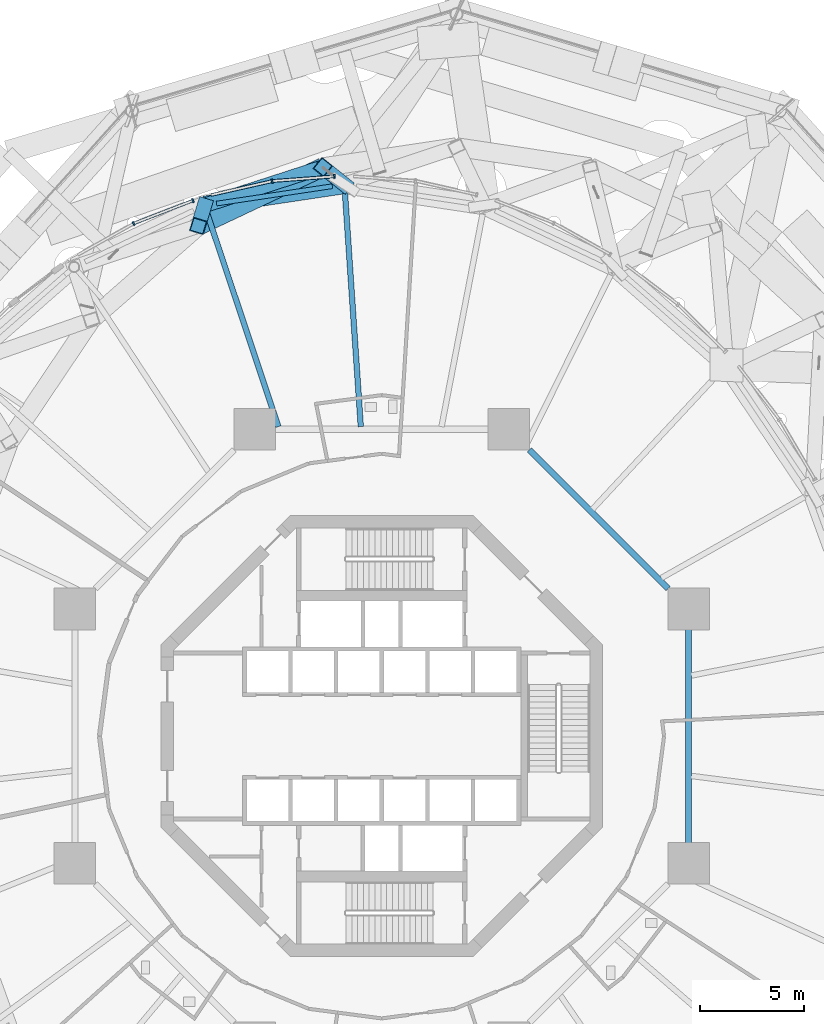
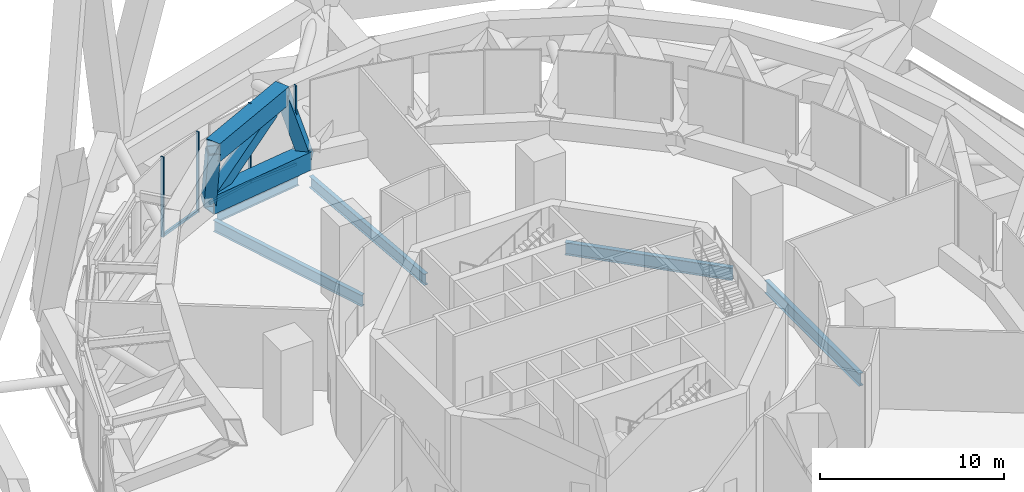
# One storey, part 31 of 49: 10 beams, 7 members, 4 elements without a shape of their own.
"""IFC4 building model written with IfcOpenShell, lengths in metres."""

import ifcopenshell
import ifcopenshell.guid

model = None  # the IFC model being written
_history = None  # IfcOwnerHistory: only IFC2X3 demands one
_inside = {}  # id of a spatial element -> (the spatial element, [elements in it])
_under = {}  # id of a project, library or spatial element -> (it, [spatial elements below it])
_declared = {}  # id of a project -> (the project, [libraries it declares])
_typed = {}  # id of a type object -> (the type object, [elements of that type])
_made_of = {}  # id of a material, layer set ... -> (it, [elements and type objects made of it])


def new_model(schema):
    """Start an empty IFC model of exactly this schema.

    Asked for "IFC4X3", IfcOpenShell would pick the latest addendum, in which some entities
    have other attributes; the version numbers below select the first issue.
    IFC2X3 requires an IfcOwnerHistory on every rooted entity: one is made here for all.
    """
    global model, _history
    if schema == "IFC4X3":
        model = ifcopenshell.file(schema_version=(4, 3, 0, 0))
    else:
        model = ifcopenshell.file(schema=schema)
    _inside.clear()
    _under.clear()
    _declared.clear()
    _typed.clear()
    _made_of.clear()
    _history = None
    if model.schema == "IFC2X3":
        org = make("IfcOrganization", Name="unknown")
        user = make(
            "IfcPersonAndOrganization",
            ThePerson=make("IfcPerson", FamilyName="unknown"),
            TheOrganization=org,
        )
        app = make(
            "IfcApplication",
            ApplicationDeveloper=org,
            Version="unknown",
            ApplicationFullName="unknown",
            ApplicationIdentifier="unknown",
        )
        _history = make(
            "IfcOwnerHistory",
            OwningUser=user,
            OwningApplication=app,
            ChangeAction="ADDED",
            CreationDate=0,
        )
    return model


def make(cls, **values):
    """One entity of the class cls with the attributes given. An attribute that is None is left unset."""
    return model.create_entity(
        cls, **{name: value for name, value in values.items() if value is not None}
    )


def rooted(cls, **values):
    """An entity with a GlobalId (a new one), such as an element, a storey or a relation."""
    return make(cls, GlobalId=ifcopenshell.guid.new(), OwnerHistory=_history, **values)


def si_unit(unit_type, name, prefix=None):
    """IfcSIUnit, for example si_unit("LENGTHUNIT", "METRE", prefix="MILLI")."""
    return make("IfcSIUnit", UnitType=unit_type, Prefix=prefix, Name=name)


def assignment(units):
    """IfcUnitAssignment: the units of a project."""
    return None if units is None else make("IfcUnitAssignment", Units=units)


def point(xyz):
    """IfcCartesianPoint."""
    return None if xyz is None else make("IfcCartesianPoint", Coordinates=xyz)


def direction(xyz):
    """IfcDirection."""
    return None if xyz is None else make("IfcDirection", DirectionRatios=xyz)


def frame(location, z_axis=None, x_axis=None):
    """IfcAxis2Placement3D, a coordinate frame: its origin and axes. An axis left out is left unset."""
    return make(
        "IfcAxis2Placement3D",
        Location=point(location),
        Axis=direction(z_axis),
        RefDirection=direction(x_axis),
    )


def frame_2d(location, x_axis=None):
    """IfcAxis2Placement2D, a coordinate frame in the plane: its origin and x axis."""
    return make(
        "IfcAxis2Placement2D", Location=point(location), RefDirection=direction(x_axis)
    )


def origin():
    """The frame at (0, 0, 0) with its axes left unset."""
    return frame((0.0, 0.0, 0.0))


def origin_2d():
    """The frame at (0, 0) in the plane with its x axis left unset."""
    return frame_2d((0.0, 0.0))


def place(relative_to, where):
    """IfcLocalPlacement: puts the frame where relative to a parent placement (None: the world)."""
    return make(
        "IfcLocalPlacement", PlacementRelTo=relative_to, RelativePlacement=where
    )


def context(
    kind, dimensions, precision=None, world=None, true_north=None, identifier=None
):
    """IfcGeometricRepresentationContext, for example the 3D "Model" context."""
    return make(
        "IfcGeometricRepresentationContext",
        ContextIdentifier=identifier,
        ContextType=kind,
        CoordinateSpaceDimension=dimensions,
        Precision=precision,
        WorldCoordinateSystem=world,
        TrueNorth=true_north,
    )


def subcontext(parent, identifier, kind, view, scale=None):
    """IfcGeometricRepresentationSubContext, for example "Body" below "Model"."""
    return make(
        "IfcGeometricRepresentationSubContext",
        ContextIdentifier=identifier,
        ContextType=kind,
        ParentContext=parent,
        TargetScale=scale,
        TargetView=view,
    )


def project(units=None, contexts=None):
    """IfcProject with its units and contexts."""
    return rooted(
        "IfcProject",
        Name="project",
        RepresentationContexts=contexts,
        UnitsInContext=assignment(units),
    )


def spatial(cls, under=None, at=None, **own):
    """A site, building, storey or space (cls), placed at a placement, below another one or the project."""
    s = rooted(cls, ObjectPlacement=at, **own)
    if under is not None:
        _under.setdefault(under.id(), (under, []))[1].append(s)
    return s


def profile(cls, at=None, kind="AREA", **sizes):
    """A parametric profile (cls). Its sizes go by their IFC names, for example OverallWidth=200.0."""
    return make(cls, ProfileType=kind, Position=at, **sizes)


def rectangle(**sizes):
    """IfcRectangleProfileDef."""
    return profile("IfcRectangleProfileDef", **sizes)


def hollow_rectangle(**sizes):
    """IfcRectangleHollowProfileDef."""
    return profile("IfcRectangleHollowProfileDef", **sizes)


def i_section(**sizes):
    """IfcIShapeProfileDef."""
    return profile("IfcIShapeProfileDef", **sizes)


def extrude(swept, where, along, depth):
    """IfcExtrudedAreaSolid: the profile swept, set in the frame where, extruded along a direction by depth."""
    return make(
        "IfcExtrudedAreaSolid",
        SweptArea=swept,
        Position=where,
        ExtrudedDirection=direction(along),
        Depth=depth,
    )


def shape(context_of_items, identifier, shape_type, items):
    """IfcShapeRepresentation: the items that make up one representation, for example the "Body"."""
    return make(
        "IfcShapeRepresentation",
        ContextOfItems=context_of_items,
        RepresentationIdentifier=identifier,
        RepresentationType=shape_type,
        Items=items,
    )


def material(Name=None, Category=None):
    """IfcMaterial."""
    return make("IfcMaterial", Name=Name, Category=Category)


def layer(
    of_material, thickness, ventilated=None, Name=None, Category=None, Priority=None
):
    """IfcMaterialLayer: one layer of a wall or slab, of a material (None: an air gap)."""
    return make(
        "IfcMaterialLayer",
        Material=of_material,
        LayerThickness=thickness,
        IsVentilated=ventilated,
        Name=Name,
        Category=Category,
        Priority=Priority,
    )


def layer_set(layers, Name=None):
    """IfcMaterialLayerSet."""
    return make("IfcMaterialLayerSet", MaterialLayers=layers, LayerSetName=Name)


def material_profile(
    of_material, cross_section, Name=None, Category=None, Priority=None
):
    """IfcMaterialProfile: a cross section and its material."""
    return make(
        "IfcMaterialProfile",
        Name=Name,
        Material=of_material,
        Profile=cross_section,
        Priority=Priority,
        Category=Category,
    )


def profile_set(profiles, Name=None, composite=None):
    """IfcMaterialProfileSet."""
    return make(
        "IfcMaterialProfileSet",
        Name=Name,
        MaterialProfiles=profiles,
        CompositeProfile=composite,
    )


def made_of(thing, what):
    """Note that an element or type object is made of a material, layer set ...; save() writes the relation."""
    if what is not None:
        _made_of.setdefault(what.id(), (what, []))[1].append(thing)
    return thing


def type_object(cls, material=None, **own):
    """A type object (cls), such as IfcWallType, which elements share."""
    return made_of(rooted(cls, **own), material)


def element(
    cls,
    number,
    at=None,
    inside=None,
    cuts=None,
    type_object=None,
    material=None,
    context=None,
    identifier="Body",
    shape_type=None,
    held_by="IfcProductDefinitionShape",
    body=None,
    shapes=None,
    **own,
):
    """One element of the class cls, such as IfcWall. Its Tag is "e" and its number.

    at: its placement. inside: the storey or other place that contains it. cuts: it is an
    opening in that element (IfcRelVoidsElement). A single representation is given by context,
    identifier, shape_type and body (its items); several are given by shapes. held_by: the class
    of the entity that holds the representations. save() writes the other relations.
    """
    e = rooted(cls, Tag="e%d" % number, ObjectPlacement=at, **own)
    if body is not None:
        shapes = [shape(context, identifier, shape_type, body)]
    if shapes is not None:
        e.Representation = make(held_by, Representations=shapes)
    if inside is not None:
        _inside.setdefault(inside.id(), (inside, []))[1].append(e)
    if cuts is not None:
        rooted(
            "IfcRelVoidsElement", RelatingBuildingElement=cuts, RelatedOpeningElement=e
        )
    if type_object is not None:
        _typed.setdefault(type_object.id(), (type_object, []))[1].append(e)
    return made_of(e, material)


def aggregate(whole, parts):
    """IfcRelAggregates: a whole, such as a stair, and the parts it consists of."""
    return rooted("IfcRelAggregates", RelatingObject=whole, RelatedObjects=parts)


def save(model, path):
    """Write the relations noted so far, then the file.

    IfcRelAggregates (storeys below a building ...), IfcRelContainedInSpatialStructure (elements
    in a storey), IfcRelDefinesByType, IfcRelAssociatesMaterial and IfcRelDeclares: one each for
    every whole, place, type object, material and project.
    """
    for whole, parts in _under.values():
        aggregate(whole, parts)
    for where, things in _inside.values():
        rooted(
            "IfcRelContainedInSpatialStructure",
            RelatedElements=things,
            RelatingStructure=where,
        )
    for kind, things in _typed.values():
        rooted("IfcRelDefinesByType", RelatedObjects=things, RelatingType=kind)
    for what, things in _made_of.values():
        rooted("IfcRelAssociatesMaterial", RelatedObjects=things, RelatingMaterial=what)
    for by, libraries in _declared.values():
        rooted("IfcRelDeclares", RelatingContext=by, RelatedDefinitions=libraries)
    model.write(path)


model = new_model("IFC4")

# Units and contexts
model_context = context("Model", 3, precision=1e-05, world=origin(), true_north=direction((0.0, 1.0)))
body_context = subcontext(model_context, "Body", "Model", "MODEL_VIEW")
ifc_project = project(units=[si_unit("LENGTHUNIT", "METRE"), si_unit("AREAUNIT", "SQUARE_METRE"), si_unit("VOLUMEUNIT", "CUBIC_METRE"), si_unit("PLANEANGLEUNIT", "RADIAN"), si_unit("MASSUNIT", "GRAM", prefix="KILO")], contexts=[model_context])

# Site, building, storey
site_placement = place(None, origin())
site = spatial("IfcSite", under=ifc_project, at=site_placement, CompositionType="ELEMENT")
building_placement = place(site_placement, origin())
building = spatial("IfcBuilding", under=site, at=building_placement, Name="Nagisa Residences", CompositionType="ELEMENT")
storey_placement = place(building_placement, frame((0.0, 0.0, 160.300048828125)))
storey = spatial("IfcBuildingStorey", under=building, at=storey_placement, Name="L40", CompositionType="ELEMENT", Elevation=160.300048828125)

# Beams
ifc_material_1 = material(Name="Steel ASTM A572 Gr 50", Category="steel")
ifc_material_profile_1 = material_profile(ifc_material_1, hollow_rectangle(XDim=0.89990234375, YDim=1.199951171875, WallThickness=0.044921875, at=origin_2d()), Name="BX 900x1200x45")
ifc_profile_set_1 = profile_set([ifc_material_profile_1], Name="Steel ASTM A572 Gr 50")
beam_type_1 = type_object("IfcBeamType", Name="Belt chord 3 BX 900x1200x45", PredefinedType="BEAM", material=ifc_profile_set_1)
beam_1_placement = place(storey_placement, frame((-1.800048828125, 26.577392578125, 0.599853515625), z_axis=(-0.988910056119, -0.14851565879, 0.0), x_axis=(0.14851565879, -0.988910056119, 0.0)))
element("IfcBeam", 1, at=beam_1_placement, inside=storey, type_object=beam_type_1, Name="beam:L40:bt3b07", PredefinedType="BEAM", context=body_context, shape_type="SweptSolid", body=[
    extrude(hollow_rectangle(XDim=0.89990234375, YDim=1.199951171875, WallThickness=0.044921875, at=origin_2d()), origin(), (0.0, 0.0, 1.0), 6.81396484375),
])
beam_2_placement = place(storey_placement, frame((-2.838134765625, 27.408203125, 4.739990234375), z_axis=(-0.90414798846, -0.427219399097, 0.0), x_axis=(0.427219399097, -0.90414798846, 0.0)))
element("IfcBeam", 2, at=beam_2_placement, inside=storey, type_object=beam_type_1, Name="beam:L40:bt3t08", PredefinedType="BEAM", context=body_context, shape_type="SweptSolid", body=[
    extrude(hollow_rectangle(XDim=0.89990234375, YDim=1.199951171875, WallThickness=0.044921875, at=origin_2d()), origin(), (0.0, 0.0, 1.0), 6.63525390625),
])
ifc_material_2 = material(Name="Steel ASTM A572 Gr 50", Category="steel")
ifc_material_profile_2 = material_profile(ifc_material_2, hollow_rectangle(XDim=0.699951171875, YDim=0.699951171875, WallThickness=0.0400390625, at=origin_2d()), Name="BX 700x700x40")
ifc_profile_set_2 = profile_set([ifc_material_profile_2], Name="Steel ASTM A572 Gr 50")
beam_type_2 = type_object("IfcBeamType", Name="Belt diagonal 3 BX 700x700x40", PredefinedType="BEAM", material=ifc_profile_set_2)
beam_3_placement = place(storey_placement, frame((-1.800048828125, 26.577392578125, 0.599853515625), z_axis=(-0.238728139435, 0.191061114416, 0.952105312452), x_axis=(-0.624851781974, -0.780743396107, 0.0)))
element("IfcBeam", 3, at=beam_3_placement, inside=storey, type_object=beam_type_2, Name="beam:L40:bt3db07", PredefinedType="BEAM", context=body_context, shape_type="SweptSolid", body=[
    extrude(hollow_rectangle(XDim=0.699951171875, YDim=0.699951171875, WallThickness=0.0400390625, at=origin_2d()), origin(), (0.0, 0.0, 1.0), 4.348388671875),
])
beam_4_placement = place(storey_placement, frame((-8.538330078125, 25.5654296875, 0.599853515625), z_axis=(0.782769596943, 0.253055718594, 0.568537211965), x_axis=(-0.307607606237, 0.951513300267, 0.0)))
element("IfcBeam", 4, at=beam_4_placement, inside=storey, type_object=beam_type_2, Name="beam:L40:bt3da08", PredefinedType="BEAM", context=body_context, shape_type="SweptSolid", body=[
    extrude(hollow_rectangle(XDim=0.699951171875, YDim=0.699951171875, WallThickness=0.0400390625, at=origin_2d()), origin(), (0.0, 0.0, 1.0), 7.281982421875),
])
beam_5_placement = place(storey_placement, frame((-8.538330078125, 25.5654296875, 0.599853515625), z_axis=(-0.070076426927, -0.232424916411, 0.970086569653), x_axis=(0.957429751504, -0.288666366131, 0.0)))
element("IfcBeam", 5, at=beam_5_placement, inside=storey, type_object=beam_type_2, Name="beam:L40:bt3db08", PredefinedType="BEAM", context=body_context, shape_type="SweptSolid", body=[
    extrude(hollow_rectangle(XDim=0.699951171875, YDim=0.699951171875, WallThickness=0.0400390625, at=origin_2d()), origin(), (0.0, 0.0, 1.0), 4.267822265625),
])

# Curtain wall, member
ifc_material_3 = material(Name="Aluminium curtain wall system", Category="aluminium")
ifc_layer = layer(ifc_material_3, 0.159912109375)
ifc_layer_set = layer_set([ifc_layer], Name="CW2 CURTAIN WALL")
curtain_wall_type = type_object("IfcCurtainWallType", Name="CW2 CURTAIN WALL", PredefinedType="NOTDEFINED", material=ifc_layer_set)
curtain_wall_1_placement = place(storey_placement, origin())
curtain_wall_1 = element("IfcCurtainWall", 6, at=curtain_wall_1_placement, inside=storey, type_object=curtain_wall_type, Name="cw:CW2:L40:12", PredefinedType="NOTDEFINED")
ifc_material_4 = material(Name="Aluminium", Category="aluminium")
ifc_material_profile_3 = material_profile(ifc_material_4, rectangle(XDim=0.199951171875, YDim=0.080078125, at=origin_2d()), Name="CW2 MULLION 200x80")
ifc_profile_set_3 = profile_set([ifc_material_profile_3], Name="Aluminium")
member_type_1 = type_object("IfcMemberType", Name="CW2 MULLION 200x80", PredefinedType="MULLION", material=ifc_profile_set_3)
member_1_placement = place(storey_placement, frame((-2.28271484375, 26.961181640625, 0.0), z_axis=(0.0, 0.0, 1.0), x_axis=(0.074377355493, -0.997230168512, 0.0)))
member_1 = element("IfcMember", 7, at=member_1_placement, type_object=member_type_1, Name="CW2 mullion", PredefinedType="MULLION", context=body_context, shape_type="SweptSolid", body=[
    extrude(rectangle(XDim=0.199951171875, YDim=0.080078125, at=origin_2d()), origin(), (0.0, 0.0, 1.0), 5.33984375),
])

curtain_wall_2_placement = place(storey_placement, origin())
curtain_wall_2 = element("IfcCurtainWall", 8, at=curtain_wall_2_placement, inside=storey, type_object=curtain_wall_type, Name="cw:CW2:L40:13", PredefinedType="NOTDEFINED")
member_2_placement = place(storey_placement, frame((-5.284912109375, 26.732177734375, 0.0), z_axis=(0.0, 0.0, 1.0), x_axis=(0.2207639201, -0.975327274089, 0.0)))
member_2 = element("IfcMember", 9, at=member_2_placement, type_object=member_type_1, Name="CW2 mullion", PredefinedType="MULLION", context=body_context, shape_type="SweptSolid", body=[
    extrude(rectangle(XDim=0.199951171875, YDim=0.080078125, at=origin_2d()), origin(), (0.0, 0.0, 1.0), 5.33984375),
])

curtain_wall_3_placement = place(storey_placement, origin())
curtain_wall_3 = element("IfcCurtainWall", 10, at=curtain_wall_3_placement, inside=storey, type_object=curtain_wall_type, Name="cw:CW2:L40:14", PredefinedType="NOTDEFINED")
member_3_placement = place(storey_placement, frame((-9.095947265625, 25.79736328125, 0.0), z_axis=(0.0, 0.0, 1.0), x_axis=(0.360327770268, -0.932825759707, 0.0)))
member_3 = element("IfcMember", 11, at=member_3_placement, type_object=member_type_1, Name="CW2 mullion", PredefinedType="MULLION", context=body_context, shape_type="SweptSolid", body=[
    extrude(rectangle(XDim=0.199951171875, YDim=0.080078125, at=origin_2d()), origin(), (0.0, 0.0, 1.0), 5.33984375),
])

curtain_wall_4_placement = place(storey_placement, origin())
curtain_wall_4 = element("IfcCurtainWall", 12, at=curtain_wall_4_placement, inside=storey, type_object=curtain_wall_type, Name="cw:CW2:L40:15", PredefinedType="NOTDEFINED")
member_4_placement = place(storey_placement, frame((-11.9501953125, 24.689453125, 0.0), z_axis=(0.0, 0.0, 1.0), x_axis=(0.489376918501, -0.872072377523, 0.0)))
member_4 = element("IfcMember", 13, at=member_4_placement, type_object=member_type_1, Name="CW2 mullion", PredefinedType="MULLION", context=body_context, shape_type="SweptSolid", body=[
    extrude(rectangle(XDim=0.199951171875, YDim=0.080078125, at=origin_2d()), origin(), (0.0, 0.0, 1.0), 5.33984375),
])
aggregate(curtain_wall_4, [member_4])

# Member
ifc_material_5 = material(Name="Aluminium", Category="aluminium")
ifc_material_profile_4 = material_profile(ifc_material_5, rectangle(XDim=0.139892578125, YDim=0.179931640625, at=origin_2d()), Name="CW2 TRANSOM 140x180")
ifc_profile_set_4 = profile_set([ifc_material_profile_4], Name="Aluminium")
member_type_2 = type_object("IfcMemberType", Name="CW2 TRANSOM 140x180", PredefinedType="USERDEFINED", material=ifc_profile_set_4)
member_5_placement = place(storey_placement, frame((-2.242919921875, 26.964111328125, 0.08984375), z_axis=(-0.997229943857, -0.074380367533, 0.0), x_axis=(0.074380367533, -0.997229943857, 0.0)))
member_5 = element("IfcMember", 14, at=member_5_placement, type_object=member_type_2, Name="CW2 transom", ObjectType="TRANSOM", PredefinedType="USERDEFINED", context=body_context, shape_type="SweptSolid", body=[
    extrude(rectangle(XDim=0.139892578125, YDim=0.179931640625, at=origin_2d()), origin(), (0.0, 0.0, 1.0), 3.02294921875),
])

aggregate(curtain_wall_1, [member_1, member_5])

member_6_placement = place(storey_placement, frame((-5.245849609375, 26.740966796875, 0.08984375), z_axis=(-0.975331243062, -0.220746384586, 0.0), x_axis=(0.220746384586, -0.975331243062, 0.0)))
member_6 = element("IfcMember", 15, at=member_6_placement, type_object=member_type_2, Name="CW2 transom", ObjectType="TRANSOM", PredefinedType="USERDEFINED", context=body_context, shape_type="SweptSolid", body=[
    extrude(rectangle(XDim=0.139892578125, YDim=0.179931640625, at=origin_2d()), origin(), (0.0, 0.0, 1.0), 3.040283203125),
])

aggregate(curtain_wall_2, [member_2, member_6])

member_7_placement = place(storey_placement, frame((-9.05859375, 25.811767578125, 0.08984375), z_axis=(-0.932836969826, -0.360298747882, 0.0), x_axis=(0.360298747882, -0.932836969826, 0.0)))
member_7 = element("IfcMember", 16, at=member_7_placement, type_object=member_type_2, Name="CW2 transom", ObjectType="TRANSOM", PredefinedType="USERDEFINED", context=body_context, shape_type="SweptSolid", body=[
    extrude(rectangle(XDim=0.139892578125, YDim=0.179931640625, at=origin_2d()), origin(), (0.0, 0.0, 1.0), 3.07373046875),
])

aggregate(curtain_wall_3, [member_3, member_7])

# Beams
ifc_material_6 = material(Name="Steel ASTM A572 Gr 50", Category="steel")
ifc_material_profile_5 = material_profile(ifc_material_6, i_section(OverallWidth=0.2919921875, OverallDepth=0.8349609375, WebThickness=0.013916015625, FlangeThickness=0.018798828125, at=origin_2d()), Name="W840x176")
ifc_profile_set_5 = profile_set([ifc_material_profile_5], Name="Steel ASTM A572 Gr 50")
beam_type_3 = type_object("IfcBeamType", Name="Inner ring beam W840x176", PredefinedType="BEAM", material=ifc_profile_set_5)
beam_6_placement = place(storey_placement, frame((13.796142578125, 7.10888671875, -0.767578125), z_axis=(-0.707106781187, 0.707106781187, 0.0), x_axis=(-0.707106781187, -0.707106781187, 0.0)))
element("IfcBeam", 17, at=beam_6_placement, inside=storey, type_object=beam_type_3, Name="beam:L40:ib1", PredefinedType="BEAM", context=body_context, shape_type="SweptSolid", body=[
    extrude(i_section(OverallWidth=0.2919921875, OverallDepth=0.8349609375, WebThickness=0.013916015625, FlangeThickness=0.018798828125, at=origin_2d()), origin(), (0.0, 0.0, 1.0), 9.457275390625),
])
beam_7_placement = place(storey_placement, frame((14.781982421875, -5.142822265625, -0.767578125), z_axis=(0.0, 1.0, 0.0), x_axis=(-1.0, 0.0, 0.0)))
element("IfcBeam", 18, at=beam_7_placement, inside=storey, type_object=beam_type_3, Name="beam:L40:ib8", PredefinedType="BEAM", context=body_context, shape_type="SweptSolid", body=[
    extrude(i_section(OverallWidth=0.2919921875, OverallDepth=0.8349609375, WebThickness=0.013916015625, FlangeThickness=0.018798828125, at=origin_2d()), origin(), (0.0, 0.0, 1.0), 10.28564453125),
])
ifc_material_7 = material(Name="Steel ASTM A572 Gr 50", Category="steel")
ifc_material_profile_6 = material_profile(ifc_material_7, i_section(OverallWidth=0.22802734375, OverallDepth=0.60302734375, WebThickness=0.010498046875, FlangeThickness=0.014892578125, at=origin_2d()), Name="W610x101")
ifc_profile_set_6 = profile_set([ifc_material_profile_6], Name="Steel ASTM A572 Gr 50")
beam_type_4 = type_object("IfcBeamType", Name="Perimeter ring beam W610x101", PredefinedType="BEAM", material=ifc_profile_set_6)
beam_8_placement = place(storey_placement, frame((-2.380126953125, 26.490234375, -0.651611328125), z_axis=(-0.9889122118, -0.148501304214, 0.0), x_axis=(0.148501304214, -0.9889122118, 0.0)))
element("IfcBeam", 19, at=beam_8_placement, inside=storey, type_object=beam_type_4, Name="beam:L40:pb07", PredefinedType="BEAM", context=body_context, shape_type="SweptSolid", body=[
    extrude(i_section(OverallWidth=0.22802734375, OverallDepth=0.60302734375, WebThickness=0.010498046875, FlangeThickness=0.014892578125, at=origin_2d()), origin(), (0.0, 0.0, 1.0), 5.640625),
])
ifc_material_8 = material(Name="Steel ASTM A572 Gr 50", Category="steel")
ifc_material_profile_7 = material_profile(ifc_material_8, i_section(OverallWidth=0.264892578125, OverallDepth=0.7529296875, WebThickness=0.01318359375, FlangeThickness=0.01708984375, at=origin_2d()), Name="W760x147")
ifc_profile_set_7 = profile_set([ifc_material_profile_7], Name="Steel ASTM A572 Gr 50")
beam_type_5 = type_object("IfcBeamType", Name="Radial beam W760x147", PredefinedType="BEAM", material=ifc_profile_set_7)
beam_9_placement = place(storey_placement, frame((-1.77099609375, 26.147216796875, -0.7265625), z_axis=(0.067576248579, -0.997714112674, 0.0), x_axis=(0.997714112674, 0.067576248579, 0.0)))
element("IfcBeam", 20, at=beam_9_placement, inside=storey, type_object=beam_type_5, Name="beam:L40:rb07", PredefinedType="BEAM", context=body_context, shape_type="SweptSolid", body=[
    extrude(i_section(OverallWidth=0.264892578125, OverallDepth=0.7529296875, WebThickness=0.01318359375, FlangeThickness=0.01708984375, at=origin_2d()), origin(), (0.0, 0.0, 1.0), 11.2646484375),
])
beam_10_placement = place(storey_placement, frame((-8.402099609375, 25.157470703125, -0.7265625), z_axis=(0.316790340895, -0.948495587715, 0.0), x_axis=(0.948495587715, 0.316790340895, 0.0)))
element("IfcBeam", 21, at=beam_10_placement, inside=storey, type_object=beam_type_5, Name="beam:L40:rb08", PredefinedType="BEAM", context=body_context, shape_type="SweptSolid", body=[
    extrude(i_section(OverallWidth=0.264892578125, OverallDepth=0.7529296875, WebThickness=0.01318359375, FlangeThickness=0.01708984375, at=origin_2d()), origin(), (0.0, 0.0, 1.0), 10.8046875),
])

save(model, "model.ifc")
